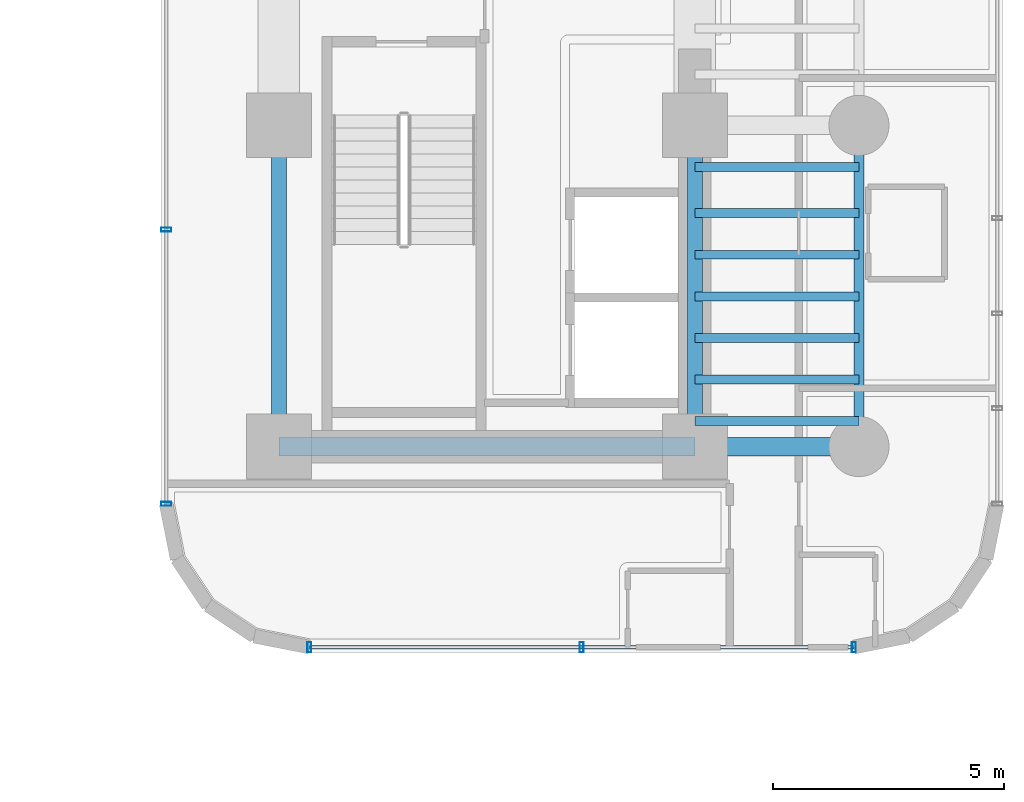
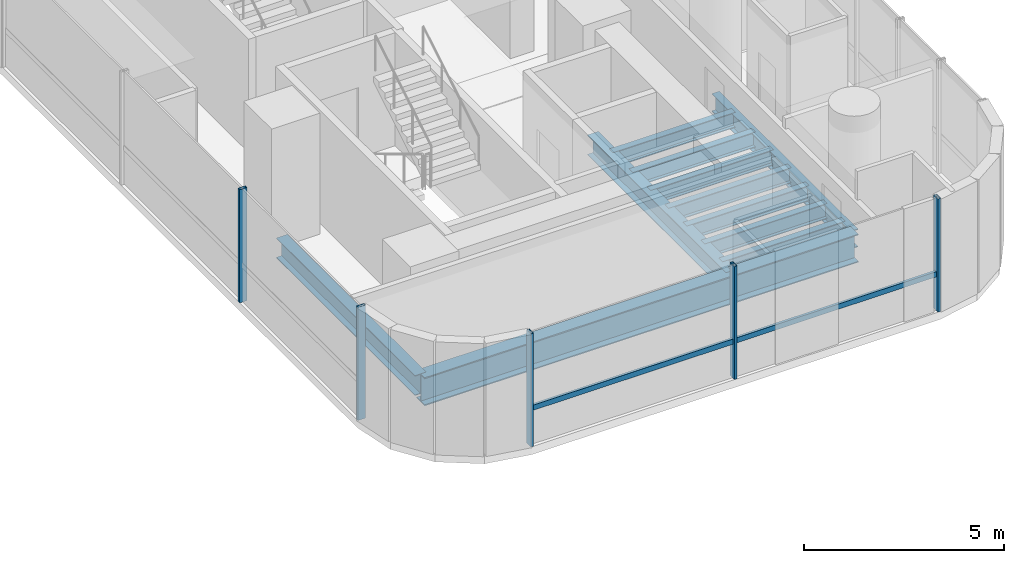
# One storey, part 13 of 40: 12 beams, 6 members, 2 elements without a shape of their own.
"""IFC4 building model written with IfcOpenShell, lengths in metres."""

from ifc_helpers import new_model, si_unit, direction, frame, origin, origin_2d, place, context, subcontext, project, spatial, hollow_rectangle, i_section, extrude, source, transform, mapped, material, material_profile, profile_set, type_object, element, aggregate, save


model = new_model("IFC4")

# Units and contexts
model_context = context("Model", 3, precision=1e-05, world=origin(), true_north=direction((0.0, 1.0)))
body_context = subcontext(model_context, "Body", "Model", "MODEL_VIEW")
ifc_project = project(units=[si_unit("LENGTHUNIT", "METRE"), si_unit("AREAUNIT", "SQUARE_METRE"), si_unit("VOLUMEUNIT", "CUBIC_METRE"), si_unit("PLANEANGLEUNIT", "RADIAN"), si_unit("MASSUNIT", "GRAM", prefix="KILO")], contexts=[model_context])

# Site, building, storey
site_placement = place(None, origin())
site = spatial("IfcSite", under=ifc_project, at=site_placement, CompositionType="ELEMENT")
building_placement = place(site_placement, origin())
building = spatial("IfcBuilding", under=site, at=building_placement, Name="Valdorenza Pilgrim Sanctuary Tower", CompositionType="ELEMENT")
storey_placement = place(building_placement, frame((0.0, 0.0, 66.699951171875)))
storey = spatial("IfcBuildingStorey", under=building, at=storey_placement, Name="L16", CompositionType="ELEMENT", Elevation=66.699951171875)

# Beams
ifc_material_1 = material(Name="Steel ASTM A992 Grade 50", Category="steel")
ifc_material_profile_1 = material_profile(ifc_material_1, i_section(OverallWidth=0.323974609375, OverallDepth=0.611083984375, WebThickness=0.0126953125, FlangeThickness=0.01904296875, at=origin_2d()), Name="W24X104")
ifc_profile_set_1 = profile_set([ifc_material_profile_1], Name="Steel ASTM A992 Grade 50")
beam_type_1 = type_object("IfcBeamType", Name="STR-BM-GRD-W24B", PredefinedType="BEAM", material=ifc_profile_set_1)
shared_shape_1 = source(origin(), body_context, "Body", "SweptSolid", [
    extrude(i_section(OverallWidth=0.323974609375, OverallDepth=0.611083984375, WebThickness=0.0126953125, FlangeThickness=0.01904296875, at=origin_2d()), origin(), (0.0, 0.0, 1.0), 6.949951171875),
])
for number, where, z_axis, x_axis, name in (
    (1, (15.85009765625, -9.550048828125, -0.54541015625), (0.0, 1.0, 0.0), (-1.0, 0.0, 0.0), "L16 Core Tie Girder CB-W-S1M0"),
    (2, (24.85009765625, -9.550048828125, -0.54541015625), (0.0, 1.0, 0.0), (-1.0, 0.0, 0.0), "L16 Core Tie Girder CB-E-S1M0"),
):
    element("IfcBeam", number, at=place(storey_placement, frame(where, z_axis=z_axis, x_axis=x_axis)), inside=storey, type_object=beam_type_1, Name=name, PredefinedType="BEAM", context=body_context, shape_type="MappedRepresentation", body=[
        mapped(shared_shape_1, transform((0.0, 0.0, 0.0), x_axis=(1.0, 0.0, 0.0), y_axis=(0.0, 1.0, 0.0), z_axis=(0.0, 0.0, 1.0), scale=1.0)),
    ])
ifc_material_profile_2 = material_profile(ifc_material_1, i_section(OverallWidth=0.214111328125, OverallDepth=0.549072265625, WebThickness=0.0146484375, FlangeThickness=0.023681640625, at=origin_2d()), Name="W21X93")
ifc_profile_set_2 = profile_set([ifc_material_profile_2], Name="Steel ASTM A992 Grade 50")
beam_type_2 = type_object("IfcBeamType", Name="STR-BM-SPN-W21A", PredefinedType="SPANDREL", material=ifc_profile_set_2)
shared_shape_2 = source(origin(), body_context, "Body", "SweptSolid", [
    extrude(i_section(OverallWidth=0.214111328125, OverallDepth=0.549072265625, WebThickness=0.0146484375, FlangeThickness=0.023681640625, at=origin_2d()), origin(), (0.0, 0.0, 1.0), 6.949951171875),
])
beam_1_placement = place(storey_placement, frame((28.39990234375, -9.550048828125, -0.514404296875), z_axis=(0.0, 1.0, 0.0), x_axis=(-1.0, 0.0, 0.0)))
element("IfcBeam", 3, at=beam_1_placement, inside=storey, type_object=beam_type_2, Name="L16 Spandrel Beam WB-E-S1M0", PredefinedType="SPANDREL", context=body_context, shape_type="MappedRepresentation", body=[
    mapped(shared_shape_2, transform((0.0, 0.0, 0.0), x_axis=(1.0, 0.0, 0.0), y_axis=(0.0, 1.0, 0.0), z_axis=(0.0, 0.0, 1.0), scale=1.0)),
])
ifc_material_profile_3 = material_profile(ifc_material_1, i_section(OverallWidth=0.193115234375, OverallDepth=0.466064453125, WebThickness=0.011474609375, FlangeThickness=0.01904296875, at=origin_2d()), Name="W18X65")
ifc_profile_set_3 = profile_set([ifc_material_profile_3], Name="Steel ASTM A992 Grade 50")
beam_type_3 = type_object("IfcBeamType", Name="STR-BM-JST-W18A", PredefinedType="JOIST", material=ifc_profile_set_3)
shared_shape_3 = source(origin(), body_context, "Body", "SweptSolid", [
    extrude(i_section(OverallWidth=0.193115234375, OverallDepth=0.466064453125, WebThickness=0.011474609375, FlangeThickness=0.01904296875, at=origin_2d()), origin(), (0.0, 0.0, 1.0), 3.5498046875),
])
for number, where, z_axis, x_axis, name in (
    (4, (24.85009765625, -9.0, -0.472900390625), (1.0, 0.0, 0.0), (0.0, 1.0, 0.0), "L16 Composite Floor Joist JST-WB-1"),
    (5, (24.85009765625, -8.10009765625, -0.472900390625), (1.0, 0.0, 0.0), (0.0, 1.0, 0.0), "L16 Composite Floor Joist JST-WB-2"),
    (6, (24.85009765625, -7.199951171875, -0.472900390625), (1.0, 0.0, 0.0), (0.0, 1.0, 0.0), "L16 Composite Floor Joist JST-WB-3"),
    (7, (24.85009765625, -6.300048828125, -0.472900390625), (1.0, 0.0, 0.0), (0.0, 1.0, 0.0), "L16 Composite Floor Joist JST-WB-4"),
    (8, (24.85009765625, -5.39990234375, -0.472900390625), (1.0, 0.0, 0.0), (0.0, 1.0, 0.0), "L16 Composite Floor Joist JST-WB-5"),
    (9, (24.85009765625, -4.5, -0.472900390625), (1.0, 0.0, 0.0), (0.0, 1.0, 0.0), "L16 Composite Floor Joist JST-WB-6"),
    (10, (24.85009765625, -3.5, -0.472900390625), (1.0, 0.0, 0.0), (0.0, 1.0, 0.0), "L16 Composite Floor Joist JST-WB-7"),
):
    element("IfcBeam", number, at=place(storey_placement, frame(where, z_axis=z_axis, x_axis=x_axis)), inside=storey, type_object=beam_type_3, Name=name, PredefinedType="JOIST", context=body_context, shape_type="MappedRepresentation", body=[
        mapped(shared_shape_3, transform((0.0, 0.0, 0.0), x_axis=(1.0, 0.0, 0.0), y_axis=(0.0, 1.0, 0.0), z_axis=(0.0, 0.0, 1.0), scale=1.0)),
    ])
ifc_material_profile_4 = material_profile(ifc_material_1, i_section(OverallWidth=0.39990234375, OverallDepth=0.862060546875, WebThickness=0.019775390625, FlangeThickness=0.032470703125, at=origin_2d()), Name="W33X221")
ifc_profile_set_4 = profile_set([ifc_material_profile_4], Name="Steel ASTM A992 Grade 50")
beam_type_4 = type_object("IfcBeamType", Name="STR-BM-GRD-W33", PredefinedType="BEAM", material=ifc_profile_set_4)
shared_shape_4 = source(origin(), body_context, "Body", "SweptSolid", [
    extrude(i_section(OverallWidth=0.39990234375, OverallDepth=0.862060546875, WebThickness=0.019775390625, FlangeThickness=0.032470703125, at=origin_2d()), origin(), (0.0, 0.0, 1.0), 9.0),
])
beam_2_placement = place(storey_placement, frame((15.85009765625, -9.550048828125, -0.6708984375), z_axis=(1.0, 0.0, 0.0), x_axis=(0.0, 1.0, 0.0)))
element("IfcBeam", 11, at=beam_2_placement, inside=storey, type_object=beam_type_4, Name="L16 Floor Girder CB-XC-S1", PredefinedType="BEAM", context=body_context, shape_type="MappedRepresentation", body=[
    mapped(shared_shape_4, transform((0.0, 0.0, 0.0), x_axis=(1.0, 0.0, 0.0), y_axis=(0.0, 1.0, 0.0), z_axis=(0.0, 0.0, 1.0), scale=1.0)),
])
shared_shape_5 = source(origin(), body_context, "Body", "SweptSolid", [
    extrude(i_section(OverallWidth=0.39990234375, OverallDepth=0.862060546875, WebThickness=0.019775390625, FlangeThickness=0.032470703125, at=origin_2d()), origin(), (0.0, 0.0, 1.0), 3.5498046875),
])
beam_3_placement = place(storey_placement, frame((24.85009765625, -9.550048828125, -0.6708984375), z_axis=(1.0, 0.0, 0.0), x_axis=(0.0, 1.0, 0.0)))
element("IfcBeam", 12, at=beam_3_placement, inside=storey, type_object=beam_type_4, Name="L16 Floor Girder WB-XE-S1", PredefinedType="BEAM", context=body_context, shape_type="MappedRepresentation", body=[
    mapped(shared_shape_5, transform((0.0, 0.0, 0.0), x_axis=(1.0, 0.0, 0.0), y_axis=(0.0, 1.0, 0.0), z_axis=(0.0, 0.0, 1.0), scale=1.0)),
])

# Curtain wall, members
ifc_material_2 = material(Name="Curtain-wall IGU glazing", Category="glass")
curtain_wall_type = type_object("IfcCurtainWallType", Name="CW-SYS-03", PredefinedType="NOTDEFINED", material=ifc_material_2)
curtain_wall_1_placement = place(storey_placement, origin())
curtain_wall_1 = element("IfcCurtainWall", 13, at=curtain_wall_1_placement, inside=storey, type_object=curtain_wall_type, Name="L16 Curtain Wall CW-L16-1-26", PredefinedType="NOTDEFINED")
ifc_material_3 = material(Name="Anodised aluminium AW-6060", Category="aluminium")
ifc_material_profile_5 = material_profile(ifc_material_3, hollow_rectangle(XDim=0.0849609375, YDim=0.219970703125, WallThickness=0.0048828125, at=origin_2d()), Name="ALU-M 220x85x5")
ifc_profile_set_5 = profile_set([ifc_material_profile_5], Name="Anodised aluminium AW-6060")
member_type_1 = type_object("IfcMemberType", Name="CW-MUL-03", PredefinedType="MULLION", material=ifc_profile_set_5)
shared_shape_6 = source(origin(), body_context, "Body", "SweptSolid", [
    extrude(hollow_rectangle(XDim=0.0849609375, YDim=0.219970703125, WallThickness=0.0048828125, at=origin_2d()), origin(), (0.0, 0.0, 1.0), 3.4599609375),
])
member_1_placement = place(storey_placement, frame((28.289306640625, -13.889892578125, 0.0), z_axis=(0.0, 0.0, 1.0), x_axis=(-1.0, 0.0, 0.0)))
member_1 = element("IfcMember", 14, at=member_1_placement, type_object=member_type_1, Name="CW-L16-1-26 Mullion 1", PredefinedType="MULLION", context=body_context, shape_type="MappedRepresentation", body=[
    mapped(shared_shape_6, transform((0.0, 0.0, 0.0), x_axis=(1.0, 0.0, 0.0), y_axis=(0.0, 1.0, 0.0), z_axis=(0.0, 0.0, 1.0), scale=1.0)),
])
member_2_placement = place(storey_placement, frame((22.39990234375, -13.889892578125, 0.0), z_axis=(0.0, 0.0, 1.0), x_axis=(-1.0, 0.0, 0.0)))
member_2 = element("IfcMember", 15, at=member_2_placement, type_object=member_type_1, Name="CW-L16-1-26 Mullion 2", PredefinedType="MULLION", context=body_context, shape_type="MappedRepresentation", body=[
    mapped(shared_shape_6, transform((0.0, 0.0, 0.0), x_axis=(1.0, 0.0, 0.0), y_axis=(0.0, 1.0, 0.0), z_axis=(0.0, 0.0, 1.0), scale=1.0)),
])
member_3_placement = place(storey_placement, frame((16.5107421875, -13.889892578125, 0.0), z_axis=(0.0, 0.0, 1.0), x_axis=(-1.0, 0.0, 0.0)))
member_3 = element("IfcMember", 16, at=member_3_placement, type_object=member_type_1, Name="CW-L16-1-26 Mullion 3", PredefinedType="MULLION", context=body_context, shape_type="MappedRepresentation", body=[
    mapped(shared_shape_6, transform((0.0, 0.0, 0.0), x_axis=(1.0, 0.0, 0.0), y_axis=(0.0, 1.0, 0.0), z_axis=(0.0, 0.0, 1.0), scale=1.0)),
])

curtain_wall_2_placement = place(storey_placement, origin())
curtain_wall_2 = element("IfcCurtainWall", 17, at=curtain_wall_2_placement, inside=storey, type_object=curtain_wall_type, Name="L16 Curtain Wall CW-L16-1-31", PredefinedType="NOTDEFINED")
member_4_placement = place(storey_placement, frame((13.409912109375, -10.789306640625, 0.0), z_axis=(0.0, 0.0, 1.0), x_axis=(0.0, 1.0, 0.0)))
member_4 = element("IfcMember", 18, at=member_4_placement, type_object=member_type_1, Name="CW-L16-1-31 Mullion 1", PredefinedType="MULLION", context=body_context, shape_type="MappedRepresentation", body=[
    mapped(shared_shape_6, transform((0.0, 0.0, 0.0), x_axis=(1.0, 0.0, 0.0), y_axis=(0.0, 1.0, 0.0), z_axis=(0.0, 0.0, 1.0), scale=1.0)),
])
member_5_placement = place(storey_placement, frame((13.409912109375, -4.85595703125, 0.0), z_axis=(0.0, 0.0, 1.0), x_axis=(0.0, 1.0, 0.0)))
member_5 = element("IfcMember", 19, at=member_5_placement, type_object=member_type_1, Name="CW-L16-1-31 Mullion 2", PredefinedType="MULLION", context=body_context, shape_type="MappedRepresentation", body=[
    mapped(shared_shape_6, transform((0.0, 0.0, 0.0), x_axis=(1.0, 0.0, 0.0), y_axis=(0.0, 1.0, 0.0), z_axis=(0.0, 0.0, 1.0), scale=1.0)),
])
aggregate(curtain_wall_2, [member_4, member_5])

# Member
ifc_material_profile_6 = material_profile(ifc_material_3, hollow_rectangle(XDim=0.074951171875, YDim=0.159912109375, WallThickness=0.00390625, at=origin_2d()), Name="ALU-T 160x75x4")
ifc_profile_set_6 = profile_set([ifc_material_profile_6], Name="Anodised aluminium AW-6060")
member_type_2 = type_object("IfcMemberType", Name="CW-TRN-03", PredefinedType="USERDEFINED", material=ifc_profile_set_6)
shared_shape_7 = source(origin(), body_context, "Body", "SweptSolid", [
    extrude(hollow_rectangle(XDim=0.074951171875, YDim=0.159912109375, WallThickness=0.00390625, at=origin_2d()), origin(), (0.0, 0.0, 1.0), 11.778564453125),
])
member_6_placement = place(storey_placement, frame((28.289306640625, -13.889892578125, 1.1201171875), z_axis=(-1.0, 0.0, 0.0), x_axis=(0.0, -1.0, 0.0)))
member_6 = element("IfcMember", 20, at=member_6_placement, type_object=member_type_2, Name="CW-L16-1-26 Transom 1", ObjectType="TRANSOM", PredefinedType="USERDEFINED", context=body_context, shape_type="MappedRepresentation", body=[
    mapped(shared_shape_7, transform((0.0, 0.0, 0.0), x_axis=(1.0, 0.0, 0.0), y_axis=(0.0, 1.0, 0.0), z_axis=(0.0, 0.0, 1.0), scale=1.0)),
])

aggregate(curtain_wall_1, [member_1, member_2, member_3, member_6])

save(model, "model.ifc")
